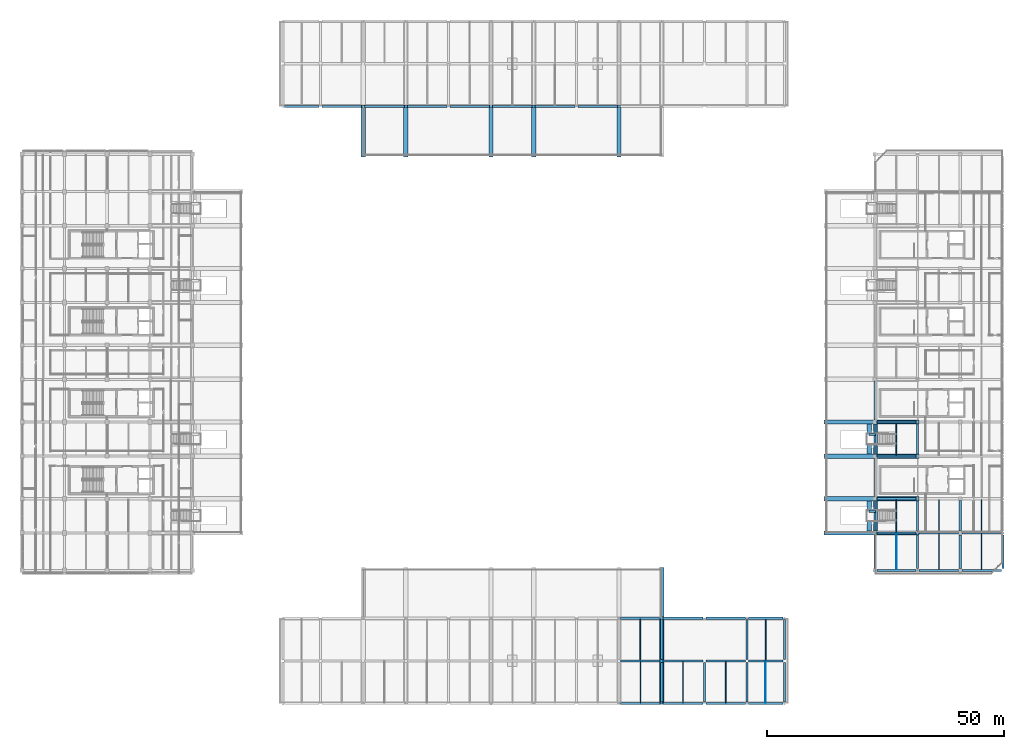
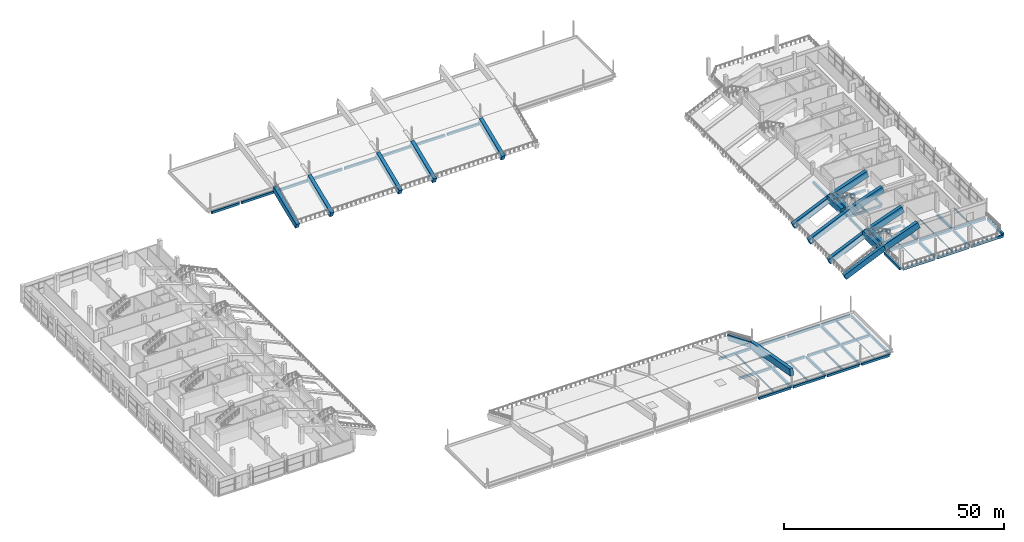
# One storey, part 33 of 66: 81 beams.
"""IFC4 building model written with IfcOpenShell, lengths in metres."""

from ifc_helpers import new_model, si_unit, direction, frame, origin, origin_2d, place, context, subcontext, project, spatial, rectangle, hollow_rectangle, i_section, extrude, material, material_profile, profile_set, type_object, element, save


model = new_model("IFC4")

# Units and contexts
model_context = context("Model", 3, precision=1e-05, world=origin(), true_north=direction((0.0, 1.0)))
body_context = subcontext(model_context, "Body", "Model", "MODEL_VIEW")
ifc_project = project(units=[si_unit("LENGTHUNIT", "METRE"), si_unit("AREAUNIT", "SQUARE_METRE"), si_unit("VOLUMEUNIT", "CUBIC_METRE"), si_unit("PLANEANGLEUNIT", "RADIAN"), si_unit("MASSUNIT", "GRAM", prefix="KILO"), si_unit("THERMODYNAMICTEMPERATUREUNIT", "KELVIN"), si_unit("POWERUNIT", "WATT")], contexts=[model_context])

# Site, building, storey
site_placement = place(None, origin())
site = spatial("IfcSite", under=ifc_project, at=site_placement, CompositionType="ELEMENT")
building_placement = place(site_placement, origin())
building = spatial("IfcBuilding", under=site, at=building_placement, Name="Sindhuravela Promenade Stadium", CompositionType="ELEMENT")
storey_placement = place(building_placement, frame((0.0, 0.0, 19.199951171875)))
storey = spatial("IfcBuildingStorey", under=building, at=storey_placement, Name="L04", CompositionType="ELEMENT", Elevation=19.199951171875)

# Beams
ifc_material_1 = material(Name="Concrete M40", Category="concrete")
ifc_material_profile_1 = material_profile(ifc_material_1, rectangle(XDim=0.449951171875, YDim=0.64990234375, at=origin_2d()), Name="RC 450x650")
ifc_profile_set_1 = profile_set([ifc_material_profile_1], Name="Concrete M40")
beam_type_1 = type_object("IfcBeamType", Name="RC-BM-450x650", PredefinedType="T_BEAM", material=ifc_profile_set_1)
for number, where, z_axis, x_axis, name in (
    (1, (180.389892578125, 37.10009765625, -0.64501953125), (1.0, 0.0, 0.0), (0.0, 1.0, 0.0), "Primary girder GB08 EAST L04"),
    (2, (189.340087890625, 37.10009765625, -0.64501953125), (1.0, 0.0, 0.0), (0.0, 1.0, 0.0), "Primary girder GB08 EAST L04"),
    (3, (198.389892578125, 37.10009765625, -0.64501953125), (1.0, 0.0, 0.0), (0.0, 1.0, 0.0), "Primary girder GB08 EAST L04"),
    (4, (180.389892578125, 45.0, -0.64501953125), (1.0, 0.0, 0.0), (0.0, 1.0, 0.0), "Primary girder GB08 EAST L04"),
    (5, (189.340087890625, 45.0, -0.64501953125), (1.0, 0.0, 0.0), (0.0, 1.0, 0.0), "Primary girder GB08 EAST L04"),
    (6, (198.389892578125, 45.0, -0.64501953125), (1.0, 0.0, 0.0), (0.0, 1.0, 0.0), "Primary girder GB08 EAST L04"),
    (7, (180.389892578125, 52.199951171875, -0.64501953125), (1.0, 0.0, 0.0), (0.0, 1.0, 0.0), "Primary girder GB08 EAST L04"),
    (8, (180.389892578125, 61.199951171875, -0.64501953125), (1.0, 0.0, 0.0), (0.0, 1.0, 0.0), "Primary girder GB08 EAST L04"),
    (9, (180.389892578125, 68.39990234375, -0.64501953125), (1.0, 0.0, 0.0), (0.0, 1.0, 0.0), "Primary girder GB08 EAST L04"),
):
    element("IfcBeam", number, at=place(storey_placement, frame(where, z_axis=z_axis, x_axis=x_axis)), inside=storey, type_object=beam_type_1, Name=name, PredefinedType="T_BEAM", context=body_context, shape_type="SweptSolid", body=[
        extrude(rectangle(XDim=0.449951171875, YDim=0.64990234375, at=origin_2d()), origin(), (0.0, 0.0, 1.0), 8.27001953125),
    ])
beam_1_placement = place(storey_placement, frame((55.4150390625, 135.0, -0.570068359375), z_axis=(1.0, 0.0, 0.0), x_axis=(0.0, 1.0, 0.0)))
element("IfcBeam", 10, at=beam_1_placement, inside=storey, type_object=beam_type_1, Name="Primary girder GB08 NORTH L04", PredefinedType="T_BEAM", context=body_context, shape_type="SweptSolid", body=[
    extrude(rectangle(XDim=0.449951171875, YDim=0.64990234375, at=origin_2d()), origin(), (0.0, 0.0, 1.0), 7.27001953125),
])
for number, where, z_axis, x_axis, name in (
    (11, (63.31494140625, 135.0, -0.570068359375), (1.0, 0.0, 0.0), (0.0, 1.0, 0.0), "Primary girder GB08 NORTH L04"),
    (12, (72.31494140625, 135.0, -0.570068359375), (1.0, 0.0, 0.0), (0.0, 1.0, 0.0), "Primary girder GB08 NORTH L04"),
    (13, (81.31494140625, 135.0, -0.570068359375), (1.0, 0.0, 0.0), (0.0, 1.0, 0.0), "Primary girder GB08 NORTH L04"),
    (14, (90.31494140625, 135.0, -0.570068359375), (1.0, 0.0, 0.0), (0.0, 1.0, 0.0), "Primary girder GB08 NORTH L04"),
    (15, (99.31494140625, 135.0, -0.570068359375), (1.0, 0.0, 0.0), (0.0, 1.0, 0.0), "Primary girder GB08 NORTH L04"),
    (16, (108.31494140625, 135.0, -0.570068359375), (1.0, 0.0, 0.0), (0.0, 1.0, 0.0), "Primary girder GB08 NORTH L04"),
    (17, (117.31494140625, 135.0, -0.570068359375), (1.0, 0.0, 0.0), (0.0, 1.0, 0.0), "Primary girder GB08 NORTH L04"),
    (18, (126.31494140625, 9.0, -0.570068359375), (1.0, 0.0, 0.0), (0.0, 1.0, 0.0), "Primary girder GB08 SOUTH L04"),
    (19, (135.31494140625, 9.0, -0.570068359375), (1.0, 0.0, 0.0), (0.0, 1.0, 0.0), "Primary girder GB08 SOUTH L04"),
    (20, (144.31494140625, 9.0, -0.570068359375), (1.0, 0.0, 0.0), (0.0, 1.0, 0.0), "Primary girder GB08 SOUTH L04"),
):
    element("IfcBeam", number, at=place(storey_placement, frame(where, z_axis=z_axis, x_axis=x_axis)), inside=storey, type_object=beam_type_1, Name=name, PredefinedType="T_BEAM", context=body_context, shape_type="SweptSolid", body=[
        extrude(rectangle(XDim=0.449951171875, YDim=0.64990234375, at=origin_2d()), origin(), (0.0, 0.0, 1.0), 8.3701171875),
    ])
beam_2_placement = place(storey_placement, frame((153.31494140625, 9.0, -0.570068359375), z_axis=(1.0, 0.0, 0.0), x_axis=(0.0, 1.0, 0.0)))
element("IfcBeam", 21, at=beam_2_placement, inside=storey, type_object=beam_type_1, Name="Primary girder GB08 SOUTH L04", PredefinedType="T_BEAM", context=body_context, shape_type="SweptSolid", body=[
    extrude(rectangle(XDim=0.449951171875, YDim=0.64990234375, at=origin_2d()), origin(), (0.0, 0.0, 1.0), 7.27001953125),
])
for number, where, z_axis, x_axis, name in (
    (22, (126.31494140625, 18.0, -0.570068359375), (1.0, 0.0, 0.0), (0.0, 1.0, 0.0), "Primary girder GB08 SOUTH L04"),
    (23, (135.31494140625, 18.0, -0.570068359375), (1.0, 0.0, 0.0), (0.0, 1.0, 0.0), "Primary girder GB08 SOUTH L04"),
    (24, (144.31494140625, 18.0, -0.570068359375), (1.0, 0.0, 0.0), (0.0, 1.0, 0.0), "Primary girder GB08 SOUTH L04"),
):
    element("IfcBeam", number, at=place(storey_placement, frame(where, z_axis=z_axis, x_axis=x_axis)), inside=storey, type_object=beam_type_1, Name=name, PredefinedType="T_BEAM", context=body_context, shape_type="SweptSolid", body=[
        extrude(rectangle(XDim=0.449951171875, YDim=0.64990234375, at=origin_2d()), origin(), (0.0, 0.0, 1.0), 8.3701171875),
    ])
beam_3_placement = place(storey_placement, frame((153.31494140625, 18.0, -0.570068359375), z_axis=(1.0, 0.0, 0.0), x_axis=(0.0, 1.0, 0.0)))
element("IfcBeam", 25, at=beam_3_placement, inside=storey, type_object=beam_type_1, Name="Primary girder GB08 SOUTH L04", PredefinedType="T_BEAM", context=body_context, shape_type="SweptSolid", body=[
    extrude(rectangle(XDim=0.449951171875, YDim=0.64990234375, at=origin_2d()), origin(), (0.0, 0.0, 1.0), 7.27001953125),
])
for number, where, z_axis, x_axis, name in (
    (26, (126.31494140625, 27.0, -0.570068359375), (1.0, 0.0, 0.0), (0.0, 1.0, 0.0), "Primary girder GB08 SOUTH L04"),
    (27, (135.31494140625, 27.0, -0.570068359375), (1.0, 0.0, 0.0), (0.0, 1.0, 0.0), "Primary girder GB08 SOUTH L04"),
    (28, (144.31494140625, 27.0, -0.570068359375), (1.0, 0.0, 0.0), (0.0, 1.0, 0.0), "Primary girder GB08 SOUTH L04"),
):
    element("IfcBeam", number, at=place(storey_placement, frame(where, z_axis=z_axis, x_axis=x_axis)), inside=storey, type_object=beam_type_1, Name=name, PredefinedType="T_BEAM", context=body_context, shape_type="SweptSolid", body=[
        extrude(rectangle(XDim=0.449951171875, YDim=0.64990234375, at=origin_2d()), origin(), (0.0, 0.0, 1.0), 8.3701171875),
    ])
beam_4_placement = place(storey_placement, frame((153.31494140625, 27.0, -0.570068359375), z_axis=(1.0, 0.0, 0.0), x_axis=(0.0, 1.0, 0.0)))
element("IfcBeam", 29, at=beam_4_placement, inside=storey, type_object=beam_type_1, Name="Primary girder GB08 SOUTH L04", PredefinedType="T_BEAM", context=body_context, shape_type="SweptSolid", body=[
    extrude(rectangle(XDim=0.449951171875, YDim=0.64990234375, at=origin_2d()), origin(), (0.0, 0.0, 1.0), 7.27001953125),
])
ifc_material_profile_2 = material_profile(ifc_material_1, rectangle(XDim=0.449951171875, YDim=0.699951171875, at=origin_2d()), Name="RC 450x700")
ifc_profile_set_2 = profile_set([ifc_material_profile_2], Name="Concrete M40")
beam_type_2 = type_object("IfcBeamType", Name="RC-BM-450x700", PredefinedType="BEAM", material=ifc_profile_set_2)
beam_5_placement = place(storey_placement, frame((180.0, 37.489990234375, -0.669921875), z_axis=(0.0, 1.0, 0.0), x_axis=(-1.0, 0.0, 0.0)))
element("IfcBeam", 30, at=beam_5_placement, inside=storey, type_object=beam_type_2, Name="Primary beam GB07 EAST L04", PredefinedType="BEAM", context=body_context, shape_type="SweptSolid", body=[
    extrude(rectangle(XDim=0.449951171875, YDim=0.699951171875, at=origin_2d()), origin(), (0.0, 0.0, 1.0), 7.1201171875),
])
beam_6_placement = place(storey_placement, frame((180.0, 45.389892578125, -0.669921875), z_axis=(0.0, 1.0, 0.0), x_axis=(-1.0, 0.0, 0.0)))
element("IfcBeam", 31, at=beam_6_placement, inside=storey, type_object=beam_type_2, Name="Primary beam GB07 EAST L04", PredefinedType="BEAM", context=body_context, shape_type="SweptSolid", body=[
    extrude(rectangle(XDim=0.449951171875, YDim=0.699951171875, at=origin_2d()), origin(), (0.0, 0.0, 1.0), 6.420166015625),
])
beam_7_placement = place(storey_placement, frame((180.0, 52.590087890625, -0.669921875), z_axis=(0.0, 1.0, 0.0), x_axis=(-1.0, 0.0, 0.0)))
element("IfcBeam", 32, at=beam_7_placement, inside=storey, type_object=beam_type_2, Name="Primary beam GB07 EAST L04", PredefinedType="BEAM", context=body_context, shape_type="SweptSolid", body=[
    extrude(rectangle(XDim=0.449951171875, YDim=0.699951171875, at=origin_2d()), origin(), (0.0, 0.0, 1.0), 8.219970703125),
])
beam_8_placement = place(storey_placement, frame((180.0, 61.590087890625, -0.669921875), z_axis=(0.0, 1.0, 0.0), x_axis=(-1.0, 0.0, 0.0)))
element("IfcBeam", 33, at=beam_8_placement, inside=storey, type_object=beam_type_2, Name="Primary beam GB07 EAST L04", PredefinedType="BEAM", context=body_context, shape_type="SweptSolid", body=[
    extrude(rectangle(XDim=0.449951171875, YDim=0.699951171875, at=origin_2d()), origin(), (0.0, 0.0, 1.0), 6.419921875),
])
beam_9_placement = place(storey_placement, frame((180.0, 68.7900390625, -0.669921875), z_axis=(0.0, 1.0, 0.0), x_axis=(-1.0, 0.0, 0.0)))
element("IfcBeam", 34, at=beam_9_placement, inside=storey, type_object=beam_type_2, Name="Primary beam GB07 EAST L04", PredefinedType="BEAM", context=body_context, shape_type="SweptSolid", body=[
    extrude(rectangle(XDim=0.449951171875, YDim=0.699951171875, at=origin_2d()), origin(), (0.0, 0.0, 1.0), 8.219970703125),
])
beam_10_placement = place(storey_placement, frame((189.0, 37.5400390625, -0.669921875), z_axis=(0.0, 1.0, 0.0), x_axis=(-1.0, 0.0, 0.0)))
element("IfcBeam", 35, at=beam_10_placement, inside=storey, type_object=beam_type_2, Name="Primary beam GB07 EAST L04", PredefinedType="BEAM", context=body_context, shape_type="SweptSolid", body=[
    extrude(rectangle(XDim=0.449951171875, YDim=0.699951171875, at=origin_2d()), origin(), (0.0, 0.0, 1.0), 7.02001953125),
])
for number, where, z_axis, x_axis, name in (
    (36, (189.0, 45.43994140625, -0.669921875), (0.0, 1.0, 0.0), (-1.0, 0.0, 0.0), "Primary beam GB07 EAST L04"),
    (37, (189.0, 61.639892578125, -0.669921875), (0.0, 1.0, 0.0), (-1.0, 0.0, 0.0), "Primary beam GB07 EAST L04"),
):
    element("IfcBeam", number, at=place(storey_placement, frame(where, z_axis=z_axis, x_axis=x_axis)), inside=storey, type_object=beam_type_2, Name=name, PredefinedType="BEAM", context=body_context, shape_type="SweptSolid", body=[
        extrude(rectangle(XDim=0.449951171875, YDim=0.699951171875, at=origin_2d()), origin(), (0.0, 0.0, 1.0), 6.320068359375),
    ])
beam_11_placement = place(storey_placement, frame((198.0, 37.489990234375, -0.669921875), z_axis=(0.0, 1.0, 0.0), x_axis=(-1.0, 0.0, 0.0)))
element("IfcBeam", 38, at=beam_11_placement, inside=storey, type_object=beam_type_2, Name="Primary beam GB07 EAST L04", PredefinedType="BEAM", context=body_context, shape_type="SweptSolid", body=[
    extrude(rectangle(XDim=0.449951171875, YDim=0.699951171875, at=origin_2d()), origin(), (0.0, 0.0, 1.0), 7.1201171875),
])
beam_12_placement = place(storey_placement, frame((198.0, 45.389892578125, -0.669921875), z_axis=(0.0, 1.0, 0.0), x_axis=(-1.0, 0.0, 0.0)))
element("IfcBeam", 39, at=beam_12_placement, inside=storey, type_object=beam_type_2, Name="Primary beam GB07 EAST L04", PredefinedType="BEAM", context=body_context, shape_type="SweptSolid", body=[
    extrude(rectangle(XDim=0.449951171875, YDim=0.699951171875, at=origin_2d()), origin(), (0.0, 0.0, 1.0), 6.420166015625),
])
beam_13_placement = place(storey_placement, frame((207.0, 37.5400390625, -0.669921875), z_axis=(0.0, 1.0, 0.0), x_axis=(-1.0, 0.0, 0.0)))
element("IfcBeam", 40, at=beam_13_placement, inside=storey, type_object=beam_type_2, Name="Primary beam GB07 EAST L04", PredefinedType="BEAM", context=body_context, shape_type="SweptSolid", body=[
    extrude(rectangle(XDim=0.449951171875, YDim=0.699951171875, at=origin_2d()), origin(), (0.0, 0.0, 1.0), 7.02001953125),
])
for number, where, z_axis, x_axis, name in (
    (41, (135.0, 9.31494140625, -0.594970703125), (0.0, 1.0, 0.0), (-1.0, 0.0, 0.0), "Primary beam GB07 SOUTH L04"),
    (42, (135.0, 18.31494140625, -0.594970703125), (0.0, 1.0, 0.0), (-1.0, 0.0, 0.0), "Primary beam GB07 SOUTH L04"),
    (43, (144.0, 9.31494140625, -0.594970703125), (0.0, 1.0, 0.0), (-1.0, 0.0, 0.0), "Primary beam GB07 SOUTH L04"),
    (44, (153.0, 9.31494140625, -0.594970703125), (0.0, 1.0, 0.0), (-1.0, 0.0, 0.0), "Primary beam GB07 SOUTH L04"),
    (45, (153.0, 18.31494140625, -0.594970703125), (0.0, 1.0, 0.0), (-1.0, 0.0, 0.0), "Primary beam GB07 SOUTH L04"),
    (46, (160.89990234375, 9.31494140625, -0.594970703125), (0.0, 1.0, 0.0), (-1.0, 0.0, 0.0), "Primary beam GB07 SOUTH L04"),
    (47, (160.89990234375, 18.31494140625, -0.594970703125), (0.0, 1.0, 0.0), (-1.0, 0.0, 0.0), "Primary beam GB07 SOUTH L04"),
):
    element("IfcBeam", number, at=place(storey_placement, frame(where, z_axis=z_axis, x_axis=x_axis)), inside=storey, type_object=beam_type_2, Name=name, PredefinedType="BEAM", context=body_context, shape_type="SweptSolid", body=[
        extrude(rectangle(XDim=0.449951171875, YDim=0.699951171875, at=origin_2d()), origin(), (0.0, 0.0, 1.0), 8.3701171875),
    ])
for number, where, z_axis, x_axis, name in (
    (48, (180.1201171875, 65.780029296875, 1.505126953125), (-1.0, 0.0, 0.0), (0.0, -1.0, 0.0), "Vomitory VS15 landing edge stringer"),
    (49, (180.1201171875, 49.580078125, 1.505126953125), (-1.0, 0.0, 0.0), (0.0, -1.0, 0.0), "Vomitory CS03 landing edge stringer"),
):
    element("IfcBeam", number, at=place(storey_placement, frame(where, z_axis=z_axis, x_axis=x_axis)), inside=storey, type_object=beam_type_2, Name=name, PredefinedType="BEAM", context=body_context, shape_type="SweptSolid", body=[
        extrude(rectangle(XDim=0.449951171875, YDim=0.699951171875, at=origin_2d()), origin(), (0.0, 0.0, 1.0), 1.35009765625),
    ])
ifc_material_2 = material(Name="Concrete M50", Category="concrete")
ifc_material_profile_3 = material_profile(ifc_material_2, rectangle(XDim=0.89990234375, YDim=1.5, at=origin_2d()), Name="RC 900x1500")
ifc_profile_set_3 = profile_set([ifc_material_profile_3], Name="Concrete M50")
beam_type_3 = type_object("IfcBeamType", Name="RC-RK-900x1500", PredefinedType="USERDEFINED", material=ifc_profile_set_3)
for number, where, z_axis, x_axis, name in (
    (50, (180.0, 45.0, 0.75), (-0.9145386978691881, 0.0, -0.40449841791993457), (0.0, -1.0, 0.0), "Upper cantilevered raker RK02 East 52"),
    (51, (180.0, 52.199951171875, 0.75), (-0.9145386978691881, 0.0, -0.40449841791993457), (0.0, -1.0, 0.0), "Upper cantilevered raker RK02 East 54"),
    (52, (180.0, 61.199951171875, 0.75), (-0.9145386978691881, 0.0, -0.40449841791993457), (0.0, -1.0, 0.0), "Upper cantilevered raker RK02 East 56"),
    (53, (180.0, 68.39990234375, 0.75), (-0.9145386978691881, 0.0, -0.40449841791993457), (0.0, -1.0, 0.0), "Upper cantilevered raker RK02 East 58"),
):
    element("IfcBeam", number, at=place(storey_placement, frame(where, z_axis=z_axis, x_axis=x_axis)), inside=storey, type_object=beam_type_3, Name=name, ObjectType="RAKER", PredefinedType="USERDEFINED", context=body_context, shape_type="SweptSolid", body=[
        extrude(rectangle(XDim=0.89990234375, YDim=1.5, at=origin_2d()), origin(), (0.0, 0.0, 1.0), 11.371826171875),
    ])
for number, where, z_axis, x_axis, name in (
    (54, (72.0, 135.0, 0.400146484375), (0.0, -0.9256874309297272, -0.3782892811311491), (1.0, 0.0, 0.0), "Upper cantilevered raker RK02 North 72"),
    (55, (81.0, 135.0, 0.400146484375), (0.0, -0.9256874309297272, -0.3782892811311491), (1.0, 0.0, 0.0), "Upper cantilevered raker RK02 North 74"),
    (56, (99.0, 135.0, 0.400146484375), (0.0, -0.9256874309297272, -0.3782892811311491), (1.0, 0.0, 0.0), "Upper cantilevered raker RK02 North 76"),
    (57, (108.0, 135.0, 0.400146484375), (0.0, -0.9256874309297272, -0.3782892811311491), (1.0, 0.0, 0.0), "Upper cantilevered raker RK02 North 78"),
    (58, (126.0, 135.0, 0.400146484375), (0.0, -0.9256874309297272, -0.3782892811311491), (1.0, 0.0, 0.0), "Upper cantilevered raker RK02 North 80"),
    (59, (135.0, 27.0, 0.400146484375), (0.0, 0.9256874309297272, -0.3782892811311491), (-1.0, 0.0, 0.0), "Upper cantilevered raker RK02 South 81"),
):
    element("IfcBeam", number, at=place(storey_placement, frame(where, z_axis=z_axis, x_axis=x_axis)), inside=storey, type_object=beam_type_3, Name=name, ObjectType="RAKER", PredefinedType="USERDEFINED", context=body_context, shape_type="SweptSolid", body=[
        extrude(rectangle(XDim=0.89990234375, YDim=1.5, at=origin_2d()), origin(), (0.0, 0.0, 1.0), 11.23486328125),
    ])
ifc_material_profile_4 = material_profile(ifc_material_2, rectangle(XDim=0.89990234375, YDim=1.800048828125, at=origin_2d()), Name="RC 900x1800")
ifc_profile_set_4 = profile_set([ifc_material_profile_4], Name="Concrete M50")
beam_type_4 = type_object("IfcBeamType", Name="RC-RK-900x1800", PredefinedType="USERDEFINED", material=ifc_profile_set_4)
for number, where, z_axis, x_axis, name in (
    (60, (189.0, 45.0, 3.949951171875), (-0.9422163038291221, 0.0, -0.3350051295108589), (0.0, -1.0, 0.0), "Upper raker back-span RK01 East 52"),
    (61, (189.0, 52.199951171875, 3.949951171875), (-0.9422163038291221, 0.0, -0.3350051295108589), (0.0, -1.0, 0.0), "Upper raker back-span RK01 East 54"),
    (62, (189.0, 61.199951171875, 3.949951171875), (-0.9422163038291221, 0.0, -0.3350051295108589), (0.0, -1.0, 0.0), "Upper raker back-span RK01 East 56"),
    (63, (189.0, 68.39990234375, 3.949951171875), (-0.9422163038291221, 0.0, -0.3350051295108589), (0.0, -1.0, 0.0), "Upper raker back-span RK01 East 58"),
):
    element("IfcBeam", number, at=place(storey_placement, frame(where, z_axis=z_axis, x_axis=x_axis)), inside=storey, type_object=beam_type_4, Name=name, ObjectType="RAKER", PredefinedType="USERDEFINED", context=body_context, shape_type="SweptSolid", body=[
        extrude(rectangle(XDim=0.89990234375, YDim=1.800048828125, at=origin_2d()), origin(), (0.0, 0.0, 1.0), 9.552001953125),
    ])
beam_14_placement = place(storey_placement, frame((135.0, 9.0, 3.60009765625), z_axis=(0.0, 0.9845629680444814, -0.17503074574325925), x_axis=(-1.0, 0.0, 0.0)))
element("IfcBeam", 64, at=beam_14_placement, inside=storey, type_object=beam_type_4, Name="Upper raker back-span RK01 South 81", ObjectType="RAKER", PredefinedType="USERDEFINED", context=body_context, shape_type="SweptSolid", body=[
    extrude(rectangle(XDim=0.89990234375, YDim=1.800048828125, at=origin_2d()), origin(), (0.0, 0.0, 1.0), 18.2822265625),
])
for number, where, z_axis, x_axis, name in (
    (65, (180.1201171875, 61.639892578125, 0.955078125), (0.0, 1.0, 0.0), (-1.0, 0.0, 0.0), "Vomitory VS15 landing trimmer beam 1"),
    (66, (178.77001953125, 61.639892578125, 0.955078125), (0.0, 1.0, 0.0), (-1.0, 0.0, 0.0), "Vomitory VS15 landing trimmer beam 2"),
    (67, (180.1201171875, 45.43994140625, 0.955078125), (0.0, 1.0, 0.0), (-1.0, 0.0, 0.0), "Vomitory CS03 landing trimmer beam 1"),
    (68, (178.77001953125, 45.43994140625, 0.955078125), (0.0, 1.0, 0.0), (-1.0, 0.0, 0.0), "Vomitory CS03 landing trimmer beam 2"),
):
    element("IfcBeam", number, at=place(storey_placement, frame(where, z_axis=z_axis, x_axis=x_axis)), inside=storey, type_object=beam_type_4, Name=name, ObjectType="RAKER", PredefinedType="USERDEFINED", context=body_context, shape_type="SweptSolid", body=[
        extrude(rectangle(XDim=0.89990234375, YDim=1.800048828125, at=origin_2d()), origin(), (0.0, 0.0, 1.0), 6.320068359375),
    ])
ifc_material_3 = material(Name="Steel E350 (IS 2062 E350BR)", Category="steel")
ifc_material_profile_5 = material_profile(ifc_material_3, hollow_rectangle(XDim=0.10009765625, YDim=0.199951171875, WallThickness=0.008056640625, at=origin_2d()), Name="RHS 200x100x8")
ifc_profile_set_5 = profile_set([ifc_material_profile_5], Name="Steel E350 (IS 2062 E350BR)")
beam_type_5 = type_object("IfcBeamType", Name="ST-BM-LNT200", PredefinedType="LINTEL", material=ifc_profile_set_5)
beam_15_placement = place(storey_placement, frame((156.949951171875, 9.215087890625, -0.344970703125), z_axis=(0.0, 1.0, 0.0), x_axis=(-1.0, 0.0, 0.0)))
element("IfcBeam", 69, at=beam_15_placement, inside=storey, type_object=beam_type_5, Name="Secondary floor joist LN01 SOUTH L04", PredefinedType="LINTEL", context=body_context, shape_type="SweptSolid", body=[
    extrude(hollow_rectangle(XDim=0.10009765625, YDim=0.199951171875, WallThickness=0.008056640625, at=origin_2d()), origin(), (0.0, 0.0, 1.0), 8.56982421875),
])
ifc_material_profile_6 = material_profile(ifc_material_3, i_section(OverallWidth=0.10009765625, OverallDepth=0.199951171875, WebThickness=0.005615234375, FlangeThickness=0.0107421875, FilletRadius=0.010986328125, at=origin_2d()), Name="ISMB 200")
ifc_profile_set_6 = profile_set([ifc_material_profile_6], Name="Steel E350 (IS 2062 E350BR)")
beam_type_6 = type_object("IfcBeamType", Name="ST-BM-MB200", PredefinedType="JOIST", material=ifc_profile_set_6)
beam_16_placement = place(storey_placement, frame((184.5, 37.31494140625, -0.419921875), z_axis=(0.0, 1.0, 0.0), x_axis=(-1.0, 0.0, 0.0)))
element("IfcBeam", 70, at=beam_16_placement, inside=storey, type_object=beam_type_6, Name="Secondary floor joist SB01 EAST L04", PredefinedType="JOIST", context=body_context, shape_type="SweptSolid", body=[
    extrude(i_section(OverallWidth=0.10009765625, OverallDepth=0.199951171875, WebThickness=0.005615234375, FlangeThickness=0.0107421875, FilletRadius=0.010986328125, at=origin_2d()), origin(), (0.0, 0.0, 1.0), 7.469970703125),
])
ifc_material_profile_7 = material_profile(ifc_material_3, i_section(OverallWidth=0.125, OverallDepth=0.25, WebThickness=0.0068359375, FlangeThickness=0.012451171875, FilletRadius=0.012939453125, at=origin_2d()), Name="ISMB 250")
ifc_profile_set_7 = profile_set([ifc_material_profile_7], Name="Steel E350 (IS 2062 E350BR)")
beam_type_7 = type_object("IfcBeamType", Name="ST-BM-MB250", PredefinedType="JOIST", material=ifc_profile_set_7)
beam_17_placement = place(storey_placement, frame((193.5, 37.31494140625, -0.445068359375), z_axis=(0.0, 1.0, 0.0), x_axis=(-1.0, 0.0, 0.0)))
element("IfcBeam", 71, at=beam_17_placement, inside=storey, type_object=beam_type_7, Name="Secondary floor joist SB02 EAST L04", PredefinedType="JOIST", context=body_context, shape_type="SweptSolid", body=[
    extrude(i_section(OverallWidth=0.125, OverallDepth=0.25, WebThickness=0.0068359375, FlangeThickness=0.012451171875, FilletRadius=0.012939453125, at=origin_2d()), origin(), (0.0, 0.0, 1.0), 7.469970703125),
])
ifc_material_profile_8 = material_profile(ifc_material_3, i_section(OverallWidth=0.139892578125, OverallDepth=0.300048828125, WebThickness=0.0078125, FlangeThickness=0.01318359375, FilletRadius=0.013916015625, at=origin_2d()), Name="ISMB 300")
ifc_profile_set_8 = profile_set([ifc_material_profile_8], Name="Steel E350 (IS 2062 E350BR)")
beam_type_8 = type_object("IfcBeamType", Name="ST-BM-MB300", PredefinedType="JOIST", material=ifc_profile_set_8)
beam_18_placement = place(storey_placement, frame((202.5, 37.31494140625, -0.469970703125), z_axis=(0.0, 1.0, 0.0), x_axis=(-1.0, 0.0, 0.0)))
element("IfcBeam", 72, at=beam_18_placement, inside=storey, type_object=beam_type_8, Name="Secondary floor joist SB03 EAST L04", PredefinedType="JOIST", context=body_context, shape_type="SweptSolid", body=[
    extrude(i_section(OverallWidth=0.139892578125, OverallDepth=0.300048828125, WebThickness=0.0078125, FlangeThickness=0.01318359375, FilletRadius=0.013916015625, at=origin_2d()), origin(), (0.0, 0.0, 1.0), 7.469970703125),
])
ifc_material_profile_9 = material_profile(ifc_material_3, i_section(OverallWidth=0.139892578125, OverallDepth=0.35009765625, WebThickness=0.008056640625, FlangeThickness=0.01416015625, FilletRadius=0.013916015625, at=origin_2d()), Name="ISMB 350")
ifc_profile_set_9 = profile_set([ifc_material_profile_9], Name="Steel E350 (IS 2062 E350BR)")
beam_type_9 = type_object("IfcBeamType", Name="ST-BM-MB350", PredefinedType="JOIST", material=ifc_profile_set_9)
beam_19_placement = place(storey_placement, frame((184.5, 45.215087890625, -0.494873046875), z_axis=(0.0, 1.0, 0.0), x_axis=(-1.0, 0.0, 0.0)))
element("IfcBeam", 73, at=beam_19_placement, inside=storey, type_object=beam_type_9, Name="Secondary floor joist SB04 EAST L04", PredefinedType="JOIST", context=body_context, shape_type="SweptSolid", body=[
    extrude(i_section(OverallWidth=0.139892578125, OverallDepth=0.35009765625, WebThickness=0.008056640625, FlangeThickness=0.01416015625, FilletRadius=0.013916015625, at=origin_2d()), origin(), (0.0, 0.0, 1.0), 6.77001953125),
])
ifc_material_profile_10 = material_profile(ifc_material_3, i_section(OverallWidth=0.139892578125, OverallDepth=0.39990234375, WebThickness=0.0087890625, FlangeThickness=0.01611328125, FilletRadius=0.013916015625, at=origin_2d()), Name="ISMB 400")
ifc_profile_set_10 = profile_set([ifc_material_profile_10], Name="Steel E350 (IS 2062 E350BR)")
beam_type_10 = type_object("IfcBeamType", Name="ST-BM-MB400", PredefinedType="BEAM", material=ifc_profile_set_10)
beam_20_placement = place(storey_placement, frame((193.5, 45.215087890625, -0.52001953125), z_axis=(0.0, 1.0, 0.0), x_axis=(-1.0, 0.0, 0.0)))
element("IfcBeam", 74, at=beam_20_placement, inside=storey, type_object=beam_type_10, Name="Secondary floor joist SB05 EAST L04", PredefinedType="BEAM", context=body_context, shape_type="SweptSolid", body=[
    extrude(i_section(OverallWidth=0.139892578125, OverallDepth=0.39990234375, WebThickness=0.0087890625, FlangeThickness=0.01611328125, FilletRadius=0.013916015625, at=origin_2d()), origin(), (0.0, 0.0, 1.0), 6.77001953125),
])
ifc_material_profile_11 = material_profile(ifc_material_3, i_section(OverallWidth=0.14990234375, OverallDepth=0.449951171875, WebThickness=0.009521484375, FlangeThickness=0.017333984375, FilletRadius=0.014892578125, at=origin_2d()), Name="ISMB 450")
ifc_profile_set_11 = profile_set([ifc_material_profile_11], Name="Steel E350 (IS 2062 E350BR)")
beam_type_11 = type_object("IfcBeamType", Name="ST-BM-MB450", PredefinedType="BEAM", material=ifc_profile_set_11)
beam_21_placement = place(storey_placement, frame((202.5, 45.215087890625, -0.544921875), z_axis=(0.0, 1.0, 0.0), x_axis=(-1.0, 0.0, 0.0)))
element("IfcBeam", 75, at=beam_21_placement, inside=storey, type_object=beam_type_11, Name="Secondary floor joist SB06 EAST L04", PredefinedType="BEAM", context=body_context, shape_type="SweptSolid", body=[
    extrude(i_section(OverallWidth=0.14990234375, OverallDepth=0.449951171875, WebThickness=0.009521484375, FlangeThickness=0.017333984375, FilletRadius=0.014892578125, at=origin_2d()), origin(), (0.0, 0.0, 1.0), 6.77001953125),
])
beam_22_placement = place(storey_placement, frame((130.5, 9.215087890625, -0.469970703125), z_axis=(0.0, 1.0, 0.0), x_axis=(-1.0, 0.0, 0.0)))
element("IfcBeam", 76, at=beam_22_placement, inside=storey, type_object=beam_type_11, Name="Secondary floor joist SB06 SOUTH L04", PredefinedType="BEAM", context=body_context, shape_type="SweptSolid", body=[
    extrude(i_section(OverallWidth=0.14990234375, OverallDepth=0.449951171875, WebThickness=0.009521484375, FlangeThickness=0.017333984375, FilletRadius=0.014892578125, at=origin_2d()), origin(), (0.0, 0.0, 1.0), 8.56982421875),
])
ifc_material_profile_12 = material_profile(ifc_material_3, i_section(OverallWidth=0.18994140625, OverallDepth=0.550048828125, WebThickness=0.01123046875, FlangeThickness=0.019287109375, FilletRadius=0.01806640625, at=origin_2d()), Name="ISMB 550")
ifc_profile_set_12 = profile_set([ifc_material_profile_12], Name="Steel E350 (IS 2062 E350BR)")
beam_type_12 = type_object("IfcBeamType", Name="ST-BM-MB550", PredefinedType="SPANDREL", material=ifc_profile_set_12)
for number, where, z_axis, x_axis, name in (
    (77, (139.5, 9.215087890625, -0.52001953125), (0.0, 1.0, 0.0), (-1.0, 0.0, 0.0), "Secondary floor joist SB08 SOUTH L04"),
    (78, (130.5, 18.215087890625, -0.52001953125), (0.0, 1.0, 0.0), (-1.0, 0.0, 0.0), "Secondary floor joist SB08 SOUTH L04"),
):
    element("IfcBeam", number, at=place(storey_placement, frame(where, z_axis=z_axis, x_axis=x_axis)), inside=storey, type_object=beam_type_12, Name=name, PredefinedType="SPANDREL", context=body_context, shape_type="SweptSolid", body=[
        extrude(i_section(OverallWidth=0.18994140625, OverallDepth=0.550048828125, WebThickness=0.01123046875, FlangeThickness=0.019287109375, FilletRadius=0.01806640625, at=origin_2d()), origin(), (0.0, 0.0, 1.0), 8.56982421875),
    ])
ifc_material_profile_13 = material_profile(ifc_material_3, i_section(OverallWidth=0.2099609375, OverallDepth=0.60009765625, WebThickness=0.011962890625, FlangeThickness=0.020751953125, FilletRadius=0.02001953125, at=origin_2d()), Name="ISMB 600")
ifc_profile_set_13 = profile_set([ifc_material_profile_13], Name="Steel E350 (IS 2062 E350BR)")
beam_type_13 = type_object("IfcBeamType", Name="ST-BM-MB600", PredefinedType="BEAM", material=ifc_profile_set_13)
beam_23_placement = place(storey_placement, frame((184.5, 61.4150390625, -0.619873046875), z_axis=(0.0, 1.0, 0.0), x_axis=(-1.0, 0.0, 0.0)))
element("IfcBeam", 79, at=beam_23_placement, inside=storey, type_object=beam_type_13, Name="Secondary floor joist SB09 EAST L04", PredefinedType="BEAM", context=body_context, shape_type="SweptSolid", body=[
    extrude(i_section(OverallWidth=0.2099609375, OverallDepth=0.60009765625, WebThickness=0.011962890625, FlangeThickness=0.020751953125, FilletRadius=0.02001953125, at=origin_2d()), origin(), (0.0, 0.0, 1.0), 6.77001953125),
])
for number, where, z_axis, x_axis, name in (
    (80, (148.5, 9.215087890625, -0.544921875), (0.0, 1.0, 0.0), (-1.0, 0.0, 0.0), "Secondary floor joist SB09 SOUTH L04"),
    (81, (156.949951171875, 18.215087890625, -0.544921875), (0.0, 1.0, 0.0), (-1.0, 0.0, 0.0), "Secondary floor joist SB09 SOUTH L04"),
):
    element("IfcBeam", number, at=place(storey_placement, frame(where, z_axis=z_axis, x_axis=x_axis)), inside=storey, type_object=beam_type_13, Name=name, PredefinedType="BEAM", context=body_context, shape_type="SweptSolid", body=[
        extrude(i_section(OverallWidth=0.2099609375, OverallDepth=0.60009765625, WebThickness=0.011962890625, FlangeThickness=0.020751953125, FilletRadius=0.02001953125, at=origin_2d()), origin(), (0.0, 0.0, 1.0), 8.56982421875),
    ])

save(model, "model.ifc")
